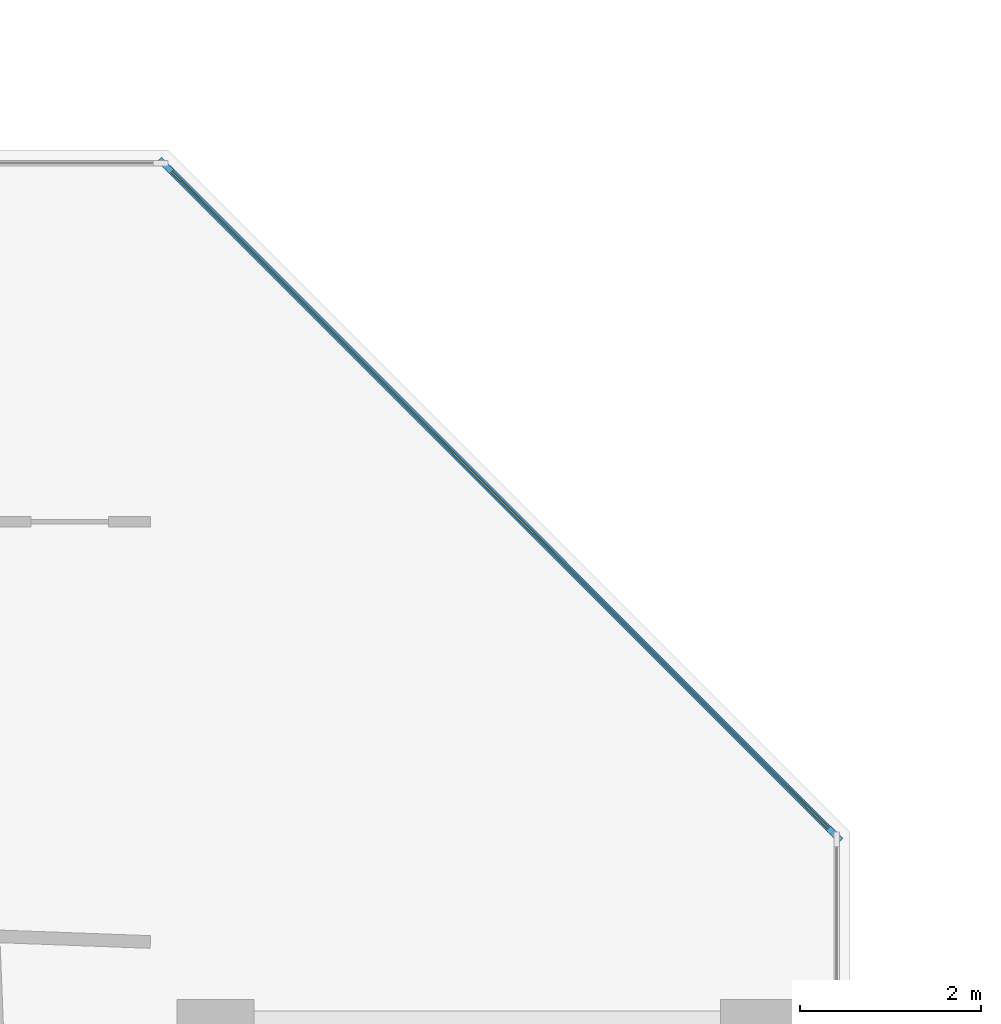
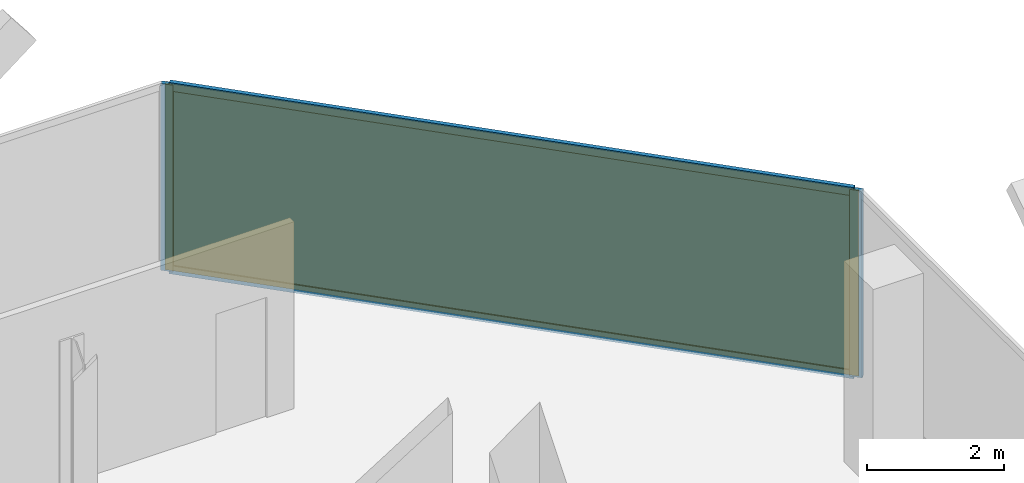
# One storey, part 12 of 15: 4 members, 1 curtain wall, 1 plate.
"""IFC4 building model written with IfcOpenShell, lengths in metres."""

from ifc_helpers import new_model, si_unit, direction, frame, frame_2d, origin, origin_2d, place, context, subcontext, project, spatial, rectangle, extrude, material, layer, layer_set, material_profile, profile_set, type_object, element, aggregate, save


model = new_model("IFC4")

# Units and contexts
model_context = context("Model", 3, precision=1e-05, world=origin(), true_north=direction((0.0, 1.0)))
body_context = subcontext(model_context, "Body", "Model", "MODEL_VIEW")
ifc_project = project(units=[si_unit("LENGTHUNIT", "METRE"), si_unit("AREAUNIT", "SQUARE_METRE"), si_unit("VOLUMEUNIT", "CUBIC_METRE"), si_unit("PLANEANGLEUNIT", "RADIAN"), si_unit("MASSUNIT", "GRAM", prefix="KILO")], contexts=[model_context])

# Member
ifc_material_1 = material(Name="Anodised Bronze Aluminium 6063-T6", Category="aluminium")
ifc_material_profile_1 = material_profile(ifc_material_1, rectangle(XDim=0.070068359375, YDim=0.18994140625, at=origin_2d()))
ifc_profile_set_1 = profile_set([ifc_material_profile_1], Name="Anodised Bronze Aluminium 6063-T6")
member_type_1 = type_object("IfcMemberType", Name="CW-SLC Mullion 70x190", PredefinedType="MULLION", material=ifc_profile_set_1)
site_placement = place(None, origin())
building_placement = place(site_placement, origin())
storey_placement = place(building_placement, frame((0.0, 0.0, 262.0)))
member_1_placement = place(storey_placement, frame((13.8466796875, 24.03515625, 0.0), z_axis=(0.0, 0.0, 1.0), x_axis=(0.707106781187, 0.707106781187, 0.0)))
member_1 = element("IfcMember", 1, at=member_1_placement, type_object=member_type_1, Name="CW-SLC mullion 1", PredefinedType="MULLION", context=body_context, shape_type="SweptSolid", body=[
    extrude(rectangle(XDim=0.070068359375, YDim=0.18994140625, at=origin_2d()), origin(), (0.0, 0.0, 1.0), 3.340087890625),
])

member_2_placement = place(storey_placement, frame((21.2353515625, 16.646728515625, 0.0), z_axis=(0.0, 0.0, 1.0), x_axis=(0.707106781187, 0.707106781187, 0.0)))
member_2 = element("IfcMember", 2, at=member_2_placement, type_object=member_type_1, Name="CW-SLC mullion 2", PredefinedType="MULLION", context=body_context, shape_type="SweptSolid", body=[
    extrude(rectangle(XDim=0.070068359375, YDim=0.18994140625, at=origin_2d()), origin(), (0.0, 0.0, 1.0), 3.340087890625),
])

ifc_material_2 = material(Name="Anodised Bronze Aluminium 6063-T6", Category="aluminium")
ifc_material_profile_2 = material_profile(ifc_material_2, rectangle(XDim=0.070068359375, YDim=0.14990234375, at=origin_2d()))
ifc_profile_set_2 = profile_set([ifc_material_profile_2], Name="Anodised Bronze Aluminium 6063-T6")
member_type_2 = type_object("IfcMemberType", Name="CW-SLC Transom 70x150", PredefinedType="USERDEFINED", material=ifc_profile_set_2)
member_3_placement = place(storey_placement, frame((13.87158203125, 24.010498046875, 0.034912109375), z_axis=(0.707095019695, -0.707118542483, 0.0), x_axis=(0.707118542483, 0.707095019695, 0.0)))
member_3 = element("IfcMember", 3, at=member_3_placement, type_object=member_type_2, Name="CW-SLC transom 1.1", ObjectType="TRANSOM", PredefinedType="USERDEFINED", context=body_context, shape_type="SweptSolid", body=[
    extrude(rectangle(XDim=0.070068359375, YDim=0.14990234375, at=origin_2d()), origin(), (0.0, 0.0, 1.0), 10.37890625),
])

member_4_placement = place(storey_placement, frame((13.87158203125, 24.010498046875, 3.304931640625), z_axis=(0.707095019695, -0.707118542483, 0.0), x_axis=(0.707118542483, 0.707095019695, 0.0)))
member_4 = element("IfcMember", 4, at=member_4_placement, type_object=member_type_2, Name="CW-SLC transom 1.2", ObjectType="TRANSOM", PredefinedType="USERDEFINED", context=body_context, shape_type="SweptSolid", body=[
    extrude(rectangle(XDim=0.070068359375, YDim=0.14990234375, at=origin_2d()), origin(), (0.0, 0.0, 1.0), 10.37890625),
])

# Plate
ifc_material_3 = material(Name="Low-E Solar Control Laminated Glass", Category="glass")
ifc_layer_1 = layer(ifc_material_3, 0.033935546875, Name="Low-E Solar Control Laminated Glass")
ifc_layer_set_1 = layer_set([ifc_layer_1], Name="Low-E Solar Control Laminated Glass")
plate_type = type_object("IfcPlateType", Name="CW-SLC Low-E Double Glazed Panel 34mm", PredefinedType="CURTAIN_PANEL", material=ifc_layer_set_1)
plate_placement = place(storey_placement, frame((17.541015625, 20.341064453125, 0.06982421875), z_axis=(0.0, 0.0, 1.0), x_axis=(0.707106781187, -0.707106781187, 0.0)))
plate = element("IfcPlate", 5, at=plate_placement, type_object=plate_type, Name="CW-SLC panel 1.1", PredefinedType="CURTAIN_PANEL", context=body_context, shape_type="SweptSolid", body=[
    extrude(rectangle(XDim=10.37890625, YDim=0.033935546875, at=origin_2d()), origin(), (0.0, 0.0, 1.0), 3.199951171875),
])

# Site, building, storey
site = spatial("IfcSite", under=ifc_project, at=site_placement, CompositionType="ELEMENT")
building = spatial("IfcBuilding", under=site, at=building_placement, Name="Khairoan Windgate Tower", CompositionType="ELEMENT")
storey = spatial("IfcBuildingStorey", under=building, at=storey_placement, Name="L62", CompositionType="ELEMENT", Elevation=262.0)

# Curtain wall
ifc_material_4 = material(Name="Anodised Bronze Aluminium 6063-T6", Category="aluminium")
ifc_layer_2 = layer(ifc_material_4, 0.18994140625, Name="Anodised Bronze Aluminium 6063-T6")
ifc_layer_set_2 = layer_set([ifc_layer_2], Name="Anodised Bronze Aluminium 6063-T6")
curtain_wall_type = type_object("IfcCurtainWallType", Name="Diagonal Corner-Slice Facet Curtain Wall CW-SLC", PredefinedType="NOTDEFINED", material=ifc_layer_set_2)
curtain_wall_placement = place(storey_placement, frame((13.822021484375, 24.06005859375, 0.0), z_axis=(0.0, 0.0, 1.0), x_axis=(0.707106781187, -0.707106781187, 0.0)))
curtain_wall = element("IfcCurtainWall", 6, at=curtain_wall_placement, inside=storey, type_object=curtain_wall_type, Name="L62 Crystal Slice Curtain Wall 10", PredefinedType="NOTDEFINED", context=body_context, shape_type="SweptSolid", body=[
    extrude(rectangle(XDim=10.518798828125, YDim=0.010009765625, at=frame_2d((5.25927734375, 0.0))), origin(), (0.0, 0.0, 1.0), 3.340087890625),
])

aggregate(curtain_wall, [member_1, member_2, member_3, member_4, plate])

save(model, "model.ifc")
